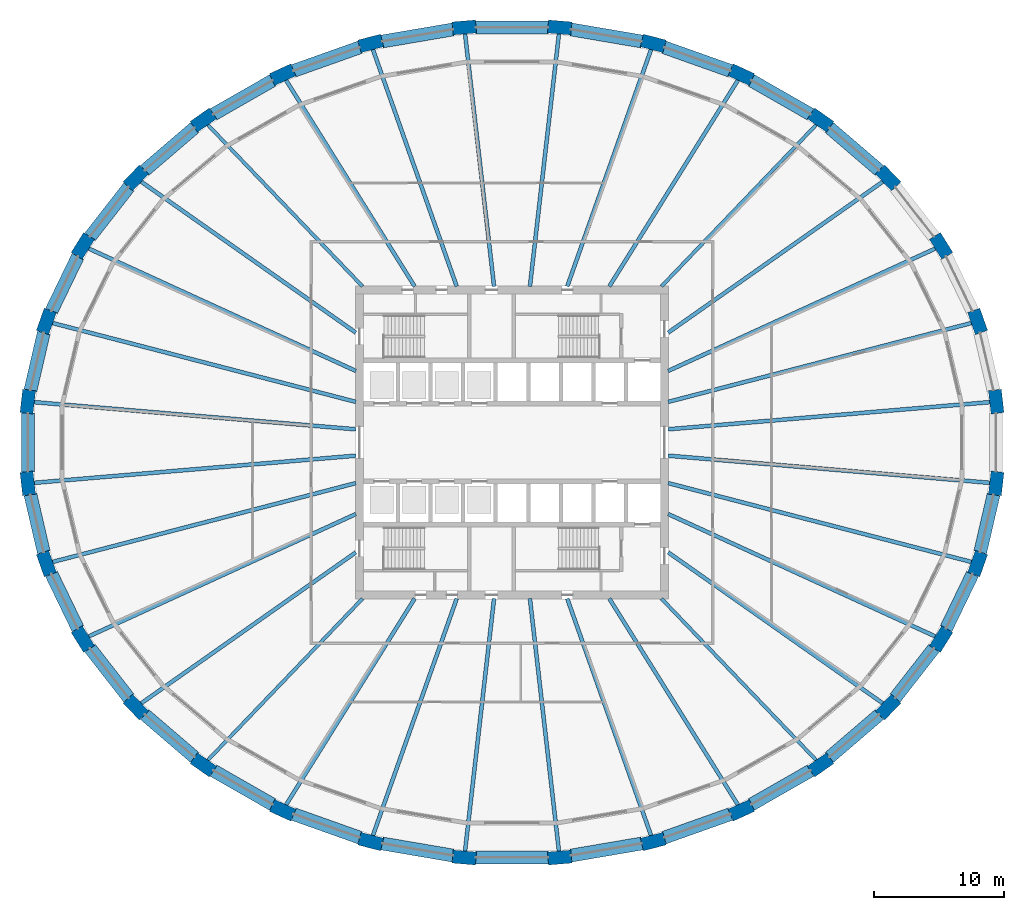
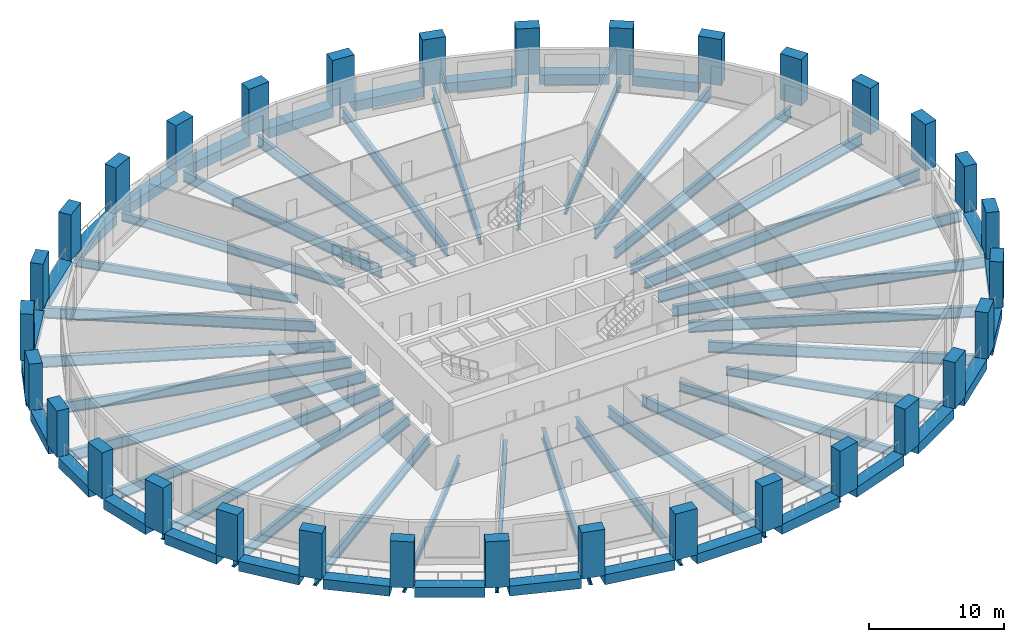
# One storey, part 1 of 10: 60 beams, 32 columns.
"""IFC4 building model written with IfcOpenShell, lengths in metres."""

from ifc_helpers import new_model, si_unit, direction, frame, origin, origin_2d, place, context, subcontext, project, spatial, rectangle, i_section, extrude, material, material_profile, profile_set, type_object, element, save


model = new_model("IFC4")

# Units and contexts
model_context = context("Model", 3, precision=1e-05, world=origin(), true_north=direction((0.0, 1.0)))
body_context = subcontext(model_context, "Body", "Model", "MODEL_VIEW")
ifc_project = project(units=[si_unit("LENGTHUNIT", "METRE"), si_unit("AREAUNIT", "SQUARE_METRE"), si_unit("VOLUMEUNIT", "CUBIC_METRE"), si_unit("PLANEANGLEUNIT", "RADIAN"), si_unit("MASSUNIT", "GRAM", prefix="KILO")], contexts=[model_context])

# Site, building, storey
site_placement = place(None, origin())
site = spatial("IfcSite", under=ifc_project, at=site_placement, CompositionType="ELEMENT")
building_placement = place(site_placement, origin())
building = spatial("IfcBuilding", under=site, at=building_placement, Name="Halqa Exchange Tower", CompositionType="ELEMENT")
storey_placement = place(building_placement, frame((0.0, 0.0, 48.699951171875)))
storey = spatial("IfcBuildingStorey", under=building, at=storey_placement, Name="L10", CompositionType="ELEMENT", Elevation=48.699951171875)

# Columns
ifc_material_1 = material(Name="Concrete C80/95", Category="concrete")
ifc_material_profile_1 = material_profile(ifc_material_1, rectangle(XDim=1.800048828125, YDim=1.0, at=origin_2d()), Name="1800 x 1000")
ifc_profile_set_1 = profile_set([ifc_material_profile_1], Name="Concrete C80/95")
column_type = type_object("IfcColumnType", Name="RC ring column 1800 x 1000 C80/95", PredefinedType="COLUMN", material=ifc_profile_set_1)
for number, where, z_axis, x_axis, name in (
    (1, (37.135986328125, 3.135009765625, 0.0), (0.0, 0.0, 1.0), (-0.114153454138, 0.993463129114, 0.0), "Ring column 1"),
    (2, (35.708984375, 9.284912109375, 0.0), (0.0, 0.0, 1.0), (-0.33362752424, 0.942704977747, 0.0), "Ring column 2"),
    (3, (32.90966796875, 15.07763671875, 0.0), (0.0, 0.0, 1.0), (-0.529143458197, 0.848532380435, 0.0), "Ring column 3"),
    (4, (28.845458984375, 20.291015625, 0.0), (0.0, 0.0, 1.0), (-0.691576091297, 0.722303613411, 0.0), "Ring column 4"),
    (5, (23.6728515625, 24.724609375, 0.0), (0.0, 0.0, 1.0), (-0.817908788019, 0.57534790734, 0.0), "Ring column 5"),
    (6, (17.590576171875, 28.208251953125, 0.0), (0.0, 0.0, 1.0), (-0.909127095833, 0.416518815449, 0.0), "Ring column 6"),
    (7, (10.832275390625, 30.607666015625, 0.0), (0.0, 0.0, 1.0), (-0.967819942774, 0.251643713153, 0.0), "Ring column 7"),
    (8, (3.65771484375, 31.8310546875, 0.0), (0.0, 0.0, 1.0), (-0.996455225341, 0.084124811391, 0.0), "Ring column 8"),
    (9, (-3.65771484375, 31.8310546875, 0.0), (0.0, 0.0, 1.0), (-0.996455225341, -0.084124811391, 0.0), "Ring column 9"),
    (10, (-10.832275390625, 30.607666015625, 0.0), (0.0, 0.0, 1.0), (-0.967819942774, -0.251643713153, 0.0), "Ring column 10"),
    (11, (-17.590576171875, 28.208251953125, 0.0), (0.0, 0.0, 1.0), (-0.909127095833, -0.416518815449, 0.0), "Ring column 11"),
    (12, (-23.6728515625, 24.724609375, 0.0), (0.0, 0.0, 1.0), (-0.817908788019, -0.57534790734, 0.0), "Ring column 12"),
    (13, (-28.845458984375, 20.291015625, 0.0), (0.0, 0.0, 1.0), (-0.691576091297, -0.722303613411, 0.0), "Ring column 13"),
    (14, (-32.90966796875, 15.07763671875, 0.0), (0.0, 0.0, 1.0), (-0.529143458197, -0.848532380435, 0.0), "Ring column 14"),
    (15, (-35.708984375, 9.284912109375, 0.0), (0.0, 0.0, 1.0), (-0.33362752424, -0.942704977747, 0.0), "Ring column 15"),
    (16, (-37.135986328125, 3.135009765625, 0.0), (0.0, 0.0, 1.0), (-0.114153454138, -0.993463129114, 0.0), "Ring column 16"),
    (17, (-37.135986328125, -3.135009765625, 0.0), (0.0, 0.0, 1.0), (0.114153454138, -0.993463129114, 0.0), "Ring column 17"),
    (18, (-35.708984375, -9.284912109375, 0.0), (0.0, 0.0, 1.0), (0.33362752424, -0.942704977747, 0.0), "Ring column 18"),
    (19, (-32.90966796875, -15.07763671875, 0.0), (0.0, 0.0, 1.0), (0.529143458197, -0.848532380435, 0.0), "Ring column 19"),
    (20, (-28.845458984375, -20.291015625, 0.0), (0.0, 0.0, 1.0), (0.691576091297, -0.722303613411, 0.0), "Ring column 20"),
    (21, (-23.6728515625, -24.724609375, 0.0), (0.0, 0.0, 1.0), (0.817908788019, -0.57534790734, 0.0), "Ring column 21"),
    (22, (-17.590576171875, -28.208251953125, 0.0), (0.0, 0.0, 1.0), (0.909127095833, -0.416518815449, 0.0), "Ring column 22"),
    (23, (-10.832275390625, -30.607666015625, 0.0), (0.0, 0.0, 1.0), (0.967819942774, -0.251643713153, 0.0), "Ring column 23"),
    (24, (-3.65771484375, -31.8310546875, 0.0), (0.0, 0.0, 1.0), (0.996455225341, -0.084124811391, 0.0), "Ring column 24"),
    (25, (3.65771484375, -31.8310546875, 0.0), (0.0, 0.0, 1.0), (0.996455225341, 0.084124811391, 0.0), "Ring column 25"),
    (26, (10.832275390625, -30.607666015625, 0.0), (0.0, 0.0, 1.0), (0.967819942774, 0.251643713153, 0.0), "Ring column 26"),
    (27, (17.590576171875, -28.208251953125, 0.0), (0.0, 0.0, 1.0), (0.909127095833, 0.416518815449, 0.0), "Ring column 27"),
    (28, (23.6728515625, -24.724609375, 0.0), (0.0, 0.0, 1.0), (0.817908788019, 0.57534790734, 0.0), "Ring column 28"),
    (29, (28.845458984375, -20.291015625, 0.0), (0.0, 0.0, 1.0), (0.691576091297, 0.722303613411, 0.0), "Ring column 29"),
    (30, (32.90966796875, -15.07763671875, 0.0), (0.0, 0.0, 1.0), (0.529143458197, 0.848532380435, 0.0), "Ring column 30"),
    (31, (35.708984375, -9.284912109375, 0.0), (0.0, 0.0, 1.0), (0.33362752424, 0.942704977747, 0.0), "Ring column 31"),
    (32, (37.135986328125, -3.135009765625, 0.0), (0.0, 0.0, 1.0), (0.114153454138, 0.993463129114, 0.0), "Ring column 32"),
):
    element("IfcColumn", number, at=place(storey_placement, frame(where, z_axis=z_axis, x_axis=x_axis)), inside=storey, type_object=column_type, Name=name, PredefinedType="COLUMN", context=body_context, shape_type="SweptSolid", body=[
        extrude(rectangle(XDim=1.800048828125, YDim=1.0, at=origin_2d()), origin(), (0.0, 0.0, 1.0), 4.199951171875),
    ])

# Beams
ifc_material_2 = material(Name="Steel S355", Category="steel")
ifc_material_profile_2 = material_profile(ifc_material_2, i_section(OverallWidth=0.300048828125, OverallDepth=0.989990234375, WebThickness=0.0166015625, FlangeThickness=0.031005859375, FilletRadius=0.030029296875, at=origin_2d()), Name="HEA 1000")
ifc_profile_set_2 = profile_set([ifc_material_profile_2], Name="Steel S355")
beam_type_1 = type_object("IfcBeamType", Name="Floor beam HEA 1000", PredefinedType="BEAM", material=ifc_profile_set_2)
beam_1_placement = place(storey_placement, frame((11.972412109375, 5.485107421875, -0.794921875), z_axis=(0.909128252254, 0.416516291343, 0.0), x_axis=(-0.416516291343, 0.909128252254, 0.0)))
element("IfcBeam", 33, at=beam_1_placement, inside=storey, type_object=beam_type_1, Name="Radial beam 3", PredefinedType="BEAM", context=body_context, shape_type="SweptSolid", body=[
    extrude(i_section(OverallWidth=0.300048828125, OverallDepth=0.989990234375, WebThickness=0.0166015625, FlangeThickness=0.031005859375, FilletRadius=0.030029296875, at=origin_2d()), origin(), (0.0, 0.0, 1.0), 22.654052734375),
])
beam_2_placement = place(storey_placement, frame((11.972412109375, 8.421875, -0.794921875), z_axis=(0.817910834663, 0.575344997841, 0.0), x_axis=(-0.575344997841, 0.817910834663, 0.0)))
element("IfcBeam", 34, at=beam_2_placement, inside=storey, type_object=beam_type_1, Name="Radial beam 4", PredefinedType="BEAM", context=body_context, shape_type="SweptSolid", body=[
    extrude(i_section(OverallWidth=0.300048828125, OverallDepth=0.989990234375, WebThickness=0.0166015625, FlangeThickness=0.031005859375, FilletRadius=0.030029296875, at=origin_2d()), origin(), (0.0, 0.0, 1.0), 20.253662109375),
])
beam_3_placement = place(storey_placement, frame((4.23681640625, 11.971923828125, -0.794921875), z_axis=(0.333636480127, 0.942701808171, 0.0), x_axis=(-0.942701808171, 0.333636480127, 0.0)))
element("IfcBeam", 35, at=beam_3_placement, inside=storey, type_object=beam_type_1, Name="Radial beam 7", PredefinedType="BEAM", context=body_context, shape_type="SweptSolid", body=[
    extrude(i_section(OverallWidth=0.300048828125, OverallDepth=0.989990234375, WebThickness=0.0166015625, FlangeThickness=0.031005859375, FilletRadius=0.030029296875, at=origin_2d()), origin(), (0.0, 0.0, 1.0), 19.39453125),
])
for number, where, z_axis, x_axis, name in (
    (36, (1.375732421875, 11.972900390625, -0.794921875), (0.114150293161, 0.993463492319, 0.0), (-0.993463492319, 0.114150293161, 0.0), "Radial beam 8"),
    (37, (-1.375732421875, 11.972900390625, -0.794921875), (-0.114150293161, 0.993463492319, 0.0), (-0.993463492319, -0.114150293161, 0.0), "Radial beam 9"),
):
    element("IfcBeam", number, at=place(storey_placement, frame(where, z_axis=z_axis, x_axis=x_axis)), inside=storey, type_object=beam_type_1, Name=name, PredefinedType="BEAM", context=body_context, shape_type="SweptSolid", body=[
        extrude(i_section(OverallWidth=0.300048828125, OverallDepth=0.989990234375, WebThickness=0.0166015625, FlangeThickness=0.031005859375, FilletRadius=0.030029296875, at=origin_2d()), origin(), (0.0, 0.0, 1.0), 19.61669921875),
    ])
beam_4_placement = place(storey_placement, frame((-4.23681640625, 11.971923828125, -0.794921875), z_axis=(-0.333636480127, 0.942701808171, 0.0), x_axis=(-0.942701808171, -0.333636480127, 0.0)))
element("IfcBeam", 38, at=beam_4_placement, inside=storey, type_object=beam_type_1, Name="Radial beam 10", PredefinedType="BEAM", context=body_context, shape_type="SweptSolid", body=[
    extrude(i_section(OverallWidth=0.300048828125, OverallDepth=0.989990234375, WebThickness=0.0166015625, FlangeThickness=0.031005859375, FilletRadius=0.030029296875, at=origin_2d()), origin(), (0.0, 0.0, 1.0), 19.39453125),
])
beam_5_placement = place(storey_placement, frame((-11.972412109375, 8.421875, -0.794921875), z_axis=(-0.817910834663, 0.575344997841, 0.0), x_axis=(-0.575344997841, -0.817910834663, 0.0)))
element("IfcBeam", 39, at=beam_5_placement, inside=storey, type_object=beam_type_1, Name="Radial beam 13", PredefinedType="BEAM", context=body_context, shape_type="SweptSolid", body=[
    extrude(i_section(OverallWidth=0.300048828125, OverallDepth=0.989990234375, WebThickness=0.0166015625, FlangeThickness=0.031005859375, FilletRadius=0.030029296875, at=origin_2d()), origin(), (0.0, 0.0, 1.0), 20.253662109375),
])
for number, where, z_axis, x_axis, name in (
    (40, (-11.972412109375, 5.485107421875, -0.794921875), (-0.909128252254, 0.416516291343, 0.0), (-0.416516291343, -0.909128252254, 0.0), "Radial beam 14"),
    (41, (-11.972412109375, -5.485107421875, -0.794921875), (-0.909128252254, -0.416516291343, 0.0), (0.416516291343, -0.909128252254, 0.0), "Radial beam 19"),
):
    element("IfcBeam", number, at=place(storey_placement, frame(where, z_axis=z_axis, x_axis=x_axis)), inside=storey, type_object=beam_type_1, Name=name, PredefinedType="BEAM", context=body_context, shape_type="SweptSolid", body=[
        extrude(i_section(OverallWidth=0.300048828125, OverallDepth=0.989990234375, WebThickness=0.0166015625, FlangeThickness=0.031005859375, FilletRadius=0.030029296875, at=origin_2d()), origin(), (0.0, 0.0, 1.0), 22.654052734375),
    ])
beam_6_placement = place(storey_placement, frame((-11.972412109375, -8.421875, -0.794921875), z_axis=(-0.817910834663, -0.575344997841, 0.0), x_axis=(0.575344997841, -0.817910834663, 0.0)))
element("IfcBeam", 42, at=beam_6_placement, inside=storey, type_object=beam_type_1, Name="Radial beam 20", PredefinedType="BEAM", context=body_context, shape_type="SweptSolid", body=[
    extrude(i_section(OverallWidth=0.300048828125, OverallDepth=0.989990234375, WebThickness=0.0166015625, FlangeThickness=0.031005859375, FilletRadius=0.030029296875, at=origin_2d()), origin(), (0.0, 0.0, 1.0), 20.253662109375),
])
beam_7_placement = place(storey_placement, frame((-4.23681640625, -11.971923828125, -0.794921875), z_axis=(-0.333636480127, -0.942701808171, 0.0), x_axis=(0.942701808171, -0.333636480127, 0.0)))
element("IfcBeam", 43, at=beam_7_placement, inside=storey, type_object=beam_type_1, Name="Radial beam 23", PredefinedType="BEAM", context=body_context, shape_type="SweptSolid", body=[
    extrude(i_section(OverallWidth=0.300048828125, OverallDepth=0.989990234375, WebThickness=0.0166015625, FlangeThickness=0.031005859375, FilletRadius=0.030029296875, at=origin_2d()), origin(), (0.0, 0.0, 1.0), 19.39453125),
])
for number, where, z_axis, x_axis, name in (
    (44, (-1.375732421875, -11.972900390625, -0.794921875), (-0.114150293161, -0.993463492319, 0.0), (0.993463492319, -0.114150293161, 0.0), "Radial beam 24"),
    (45, (1.375732421875, -11.972900390625, -0.794921875), (0.114150293161, -0.993463492319, 0.0), (0.993463492319, 0.114150293161, 0.0), "Radial beam 25"),
):
    element("IfcBeam", number, at=place(storey_placement, frame(where, z_axis=z_axis, x_axis=x_axis)), inside=storey, type_object=beam_type_1, Name=name, PredefinedType="BEAM", context=body_context, shape_type="SweptSolid", body=[
        extrude(i_section(OverallWidth=0.300048828125, OverallDepth=0.989990234375, WebThickness=0.0166015625, FlangeThickness=0.031005859375, FilletRadius=0.030029296875, at=origin_2d()), origin(), (0.0, 0.0, 1.0), 19.61669921875),
    ])
beam_8_placement = place(storey_placement, frame((4.23681640625, -11.971923828125, -0.794921875), z_axis=(0.333636480127, -0.942701808171, 0.0), x_axis=(0.942701808171, 0.333636480127, 0.0)))
element("IfcBeam", 46, at=beam_8_placement, inside=storey, type_object=beam_type_1, Name="Radial beam 26", PredefinedType="BEAM", context=body_context, shape_type="SweptSolid", body=[
    extrude(i_section(OverallWidth=0.300048828125, OverallDepth=0.989990234375, WebThickness=0.0166015625, FlangeThickness=0.031005859375, FilletRadius=0.030029296875, at=origin_2d()), origin(), (0.0, 0.0, 1.0), 19.39453125),
])
beam_9_placement = place(storey_placement, frame((11.972412109375, -8.421875, -0.794921875), z_axis=(0.817910834663, -0.575344997841, 0.0), x_axis=(0.575344997841, 0.817910834663, 0.0)))
element("IfcBeam", 47, at=beam_9_placement, inside=storey, type_object=beam_type_1, Name="Radial beam 29", PredefinedType="BEAM", context=body_context, shape_type="SweptSolid", body=[
    extrude(i_section(OverallWidth=0.300048828125, OverallDepth=0.989990234375, WebThickness=0.0166015625, FlangeThickness=0.031005859375, FilletRadius=0.030029296875, at=origin_2d()), origin(), (0.0, 0.0, 1.0), 20.253662109375),
])
beam_10_placement = place(storey_placement, frame((11.972412109375, -5.485107421875, -0.794921875), z_axis=(0.909128252254, -0.416516291343, 0.0), x_axis=(0.416516291343, 0.909128252254, 0.0)))
element("IfcBeam", 48, at=beam_10_placement, inside=storey, type_object=beam_type_1, Name="Radial beam 30", PredefinedType="BEAM", context=body_context, shape_type="SweptSolid", body=[
    extrude(i_section(OverallWidth=0.300048828125, OverallDepth=0.989990234375, WebThickness=0.0166015625, FlangeThickness=0.031005859375, FilletRadius=0.030029296875, at=origin_2d()), origin(), (0.0, 0.0, 1.0), 22.654052734375),
])
ifc_material_profile_3 = material_profile(ifc_material_2, i_section(OverallWidth=0.300048828125, OverallDepth=0.7900390625, WebThickness=0.014892578125, FlangeThickness=0.028076171875, FilletRadius=0.030029296875, at=origin_2d()), Name="HEA 800")
ifc_profile_set_3 = profile_set([ifc_material_profile_3], Name="Steel S355")
beam_type_2 = type_object("IfcBeamType", Name="Floor beam HEA 800", PredefinedType="BEAM", material=ifc_profile_set_3)
for number, where, z_axis, x_axis, name in (
    (49, (7.46533203125, 11.971435546875, -0.695068359375), (0.529137672144, 0.848535988582, 0.0), (-0.848535988582, 0.529137672144, 0.0), "Radial beam 6"),
    (50, (-7.46533203125, 11.971435546875, -0.695068359375), (-0.529137672144, 0.848535988582, 0.0), (-0.848535988582, -0.529137672144, 0.0), "Radial beam 11"),
    (51, (-7.46533203125, -11.971435546875, -0.695068359375), (-0.529137672144, -0.848535988582, 0.0), (0.848535988582, -0.529137672144, 0.0), "Radial beam 22"),
    (52, (7.46533203125, -11.971435546875, -0.695068359375), (0.529137672144, -0.848535988582, 0.0), (0.848535988582, 0.529137672144, 0.0), "Radial beam 27"),
):
    element("IfcBeam", number, at=place(storey_placement, frame(where, z_axis=z_axis, x_axis=x_axis)), inside=storey, type_object=beam_type_2, Name=name, PredefinedType="BEAM", context=body_context, shape_type="SweptSolid", body=[
        extrude(i_section(OverallWidth=0.300048828125, OverallDepth=0.7900390625, WebThickness=0.014892578125, FlangeThickness=0.028076171875, FilletRadius=0.030029296875, at=origin_2d()), origin(), (0.0, 0.0, 1.0), 18.75927734375),
    ])
ifc_material_profile_4 = material_profile(ifc_material_2, i_section(OverallWidth=0.300048828125, OverallDepth=1.0, WebThickness=0.01904296875, FlangeThickness=0.035888671875, FilletRadius=0.030029296875, at=origin_2d()), Name="HEB 1000")
ifc_profile_set_4 = profile_set([ifc_material_profile_4], Name="Steel S355")
beam_type_3 = type_object("IfcBeamType", Name="Floor beam HEB 1000", PredefinedType="BEAM", material=ifc_profile_set_4)
for number, where, z_axis, x_axis, name in (
    (53, (11.97119140625, 3.11279296875, -0.800048828125), (0.967820586637, 0.251641236846, 0.0), (-0.251641236846, 0.967820586637, 0.0), "Radial beam 2"),
    (54, (-11.97119140625, 3.11279296875, -0.800048828125), (-0.967820586637, 0.251641236846, 0.0), (-0.251641236846, -0.967820586637, 0.0), "Radial beam 15"),
    (55, (-11.97119140625, -3.11279296875, -0.800048828125), (-0.967820586637, -0.251641236846, 0.0), (0.251641236846, -0.967820586637, 0.0), "Radial beam 18"),
    (56, (11.97119140625, -3.11279296875, -0.800048828125), (0.967820586637, -0.251641236846, 0.0), (0.251641236846, 0.967820586637, 0.0), "Radial beam 31"),
):
    element("IfcBeam", number, at=place(storey_placement, frame(where, z_axis=z_axis, x_axis=x_axis)), inside=storey, type_object=beam_type_3, Name=name, PredefinedType="BEAM", context=body_context, shape_type="SweptSolid", body=[
        extrude(i_section(OverallWidth=0.300048828125, OverallDepth=1.0, WebThickness=0.01904296875, FlangeThickness=0.035888671875, FilletRadius=0.030029296875, at=origin_2d()), origin(), (0.0, 0.0, 1.0), 24.153076171875),
    ])
ifc_material_profile_5 = material_profile(ifc_material_2, i_section(OverallWidth=0.302001953125, OverallDepth=1.008056640625, WebThickness=0.02099609375, FlangeThickness=0.0400390625, FilletRadius=0.030029296875, at=origin_2d()), Name="HEM 1000")
ifc_profile_set_5 = profile_set([ifc_material_profile_5], Name="Steel S355")
beam_type_4 = type_object("IfcBeamType", Name="Floor beam HEM 1000", PredefinedType="BEAM", material=ifc_profile_set_5)
for number, where, z_axis, x_axis, name in (
    (57, (11.972412109375, 1.0107421875, -0.803955078125), (0.996455582093, 0.084120585565, 0.0), (-0.084120585565, 0.996455582093, 0.0), "Radial beam 1"),
    (58, (-11.972412109375, 1.0107421875, -0.803955078125), (-0.996455582093, 0.084120585565, 0.0), (-0.084120585565, -0.996455582093, 0.0), "Radial beam 16"),
    (59, (-11.972412109375, -1.0107421875, -0.803955078125), (-0.996455582093, -0.084120585565, 0.0), (0.084120585565, -0.996455582093, 0.0), "Radial beam 17"),
    (60, (11.972412109375, -1.0107421875, -0.803955078125), (0.996455582093, -0.084120585565, 0.0), (0.084120585565, 0.996455582093, 0.0), "Radial beam 32"),
):
    element("IfcBeam", number, at=place(storey_placement, frame(where, z_axis=z_axis, x_axis=x_axis)), inside=storey, type_object=beam_type_4, Name=name, PredefinedType="BEAM", context=body_context, shape_type="SweptSolid", body=[
        extrude(i_section(OverallWidth=0.302001953125, OverallDepth=1.008056640625, WebThickness=0.02099609375, FlangeThickness=0.0400390625, FilletRadius=0.030029296875, at=origin_2d()), origin(), (0.0, 0.0, 1.0), 24.881103515625),
    ])
ifc_material_profile_6 = material_profile(ifc_material_2, i_section(OverallWidth=0.264892578125, OverallDepth=0.7529296875, WebThickness=0.01318359375, FlangeThickness=0.01708984375, FilletRadius=0.01708984375, at=origin_2d()), Name="IPE 750x147")
ifc_profile_set_6 = profile_set([ifc_material_profile_6], Name="Steel S355")
beam_type_5 = type_object("IfcBeamType", Name="Floor beam IPE 750x147", PredefinedType="BEAM", material=ifc_profile_set_6)
for number, where, z_axis, x_axis, name in (
    (61, (11.462890625, 11.97216796875, -0.676513671875), (0.691574479101, 0.722305157019, 0.0), (-0.722305157019, 0.691574479101, 0.0), "Radial beam 5"),
    (62, (-11.462890625, 11.97216796875, -0.676513671875), (-0.691574479101, 0.722305157019, 0.0), (-0.722305157019, -0.691574479101, 0.0), "Radial beam 12"),
    (63, (-11.462890625, -11.97216796875, -0.676513671875), (-0.691574479101, -0.722305157019, 0.0), (0.722305157019, -0.691574479101, 0.0), "Radial beam 21"),
    (64, (11.462890625, -11.97216796875, -0.676513671875), (0.691574479101, -0.722305157019, 0.0), (0.722305157019, 0.691574479101, 0.0), "Radial beam 28"),
):
    element("IfcBeam", number, at=place(storey_placement, frame(where, z_axis=z_axis, x_axis=x_axis)), inside=storey, type_object=beam_type_5, Name=name, PredefinedType="BEAM", context=body_context, shape_type="SweptSolid", body=[
        extrude(i_section(OverallWidth=0.264892578125, OverallDepth=0.7529296875, WebThickness=0.01318359375, FlangeThickness=0.01708984375, FilletRadius=0.01708984375, at=origin_2d()), origin(), (0.0, 0.0, 1.0), 17.279296875),
    ])
ifc_material_3 = material(Name="Concrete C60/75", Category="concrete")
ifc_material_profile_7 = material_profile(ifc_material_3, rectangle(XDim=1.0, YDim=0.89990234375, at=origin_2d()), Name="1000 x 900")
ifc_profile_set_7 = profile_set([ifc_material_profile_7], Name="Concrete C60/75")
beam_type_6 = type_object("IfcBeamType", Name="RC spandrel beam 1000 x 900 C60/75", PredefinedType="SPANDREL", material=ifc_profile_set_7)
beam_11_placement = place(storey_placement, frame((28.18017578125, 20.861328125, -0.449951171875), z_axis=(-0.759266817387, 0.650779455741, 0.0), x_axis=(-0.650779455741, -0.759266817387, 0.0)))
element("IfcBeam", 65, at=beam_11_placement, inside=storey, type_object=beam_type_6, Name="Spandrel 4", PredefinedType="SPANDREL", context=body_context, shape_type="SweptSolid", body=[
    extrude(rectangle(XDim=1.0, YDim=0.89990234375, at=origin_2d()), origin(), (0.0, 0.0, 1.0), 5.061279296875),
])
beam_12_placement = place(storey_placement, frame((22.91259765625, 25.16015625, -0.449951171875), z_axis=(-0.86775126058, 0.496998742214, 0.0), x_axis=(-0.496998742214, -0.86775126058, 0.0)))
element("IfcBeam", 66, at=beam_12_placement, inside=storey, type_object=beam_type_6, Name="Spandrel 5", PredefinedType="SPANDREL", context=body_context, shape_type="SweptSolid", body=[
    extrude(rectangle(XDim=1.0, YDim=0.89990234375, at=origin_2d()), origin(), (0.0, 0.0, 1.0), 5.258056640625),
])
beam_13_placement = place(storey_placement, frame((16.764892578125, 28.50146484375, -0.449951171875), z_axis=(-0.942379193902, 0.334546640845, 0.0), x_axis=(-0.334546640845, -0.942379193902, 0.0)))
element("IfcBeam", 67, at=beam_13_placement, inside=storey, type_object=beam_type_6, Name="Spandrel 6", PredefinedType="SPANDREL", context=body_context, shape_type="SweptSolid", body=[
    extrude(rectangle(XDim=1.0, YDim=0.89990234375, at=origin_2d()), origin(), (0.0, 0.0, 1.0), 5.419921875),
])
beam_14_placement = place(storey_placement, frame((9.9697265625, 30.7548828125, -0.449951171875), z_axis=(-0.985774816131, 0.168071448739, 0.0), x_axis=(-0.168071448739, -0.985774816131, 0.0)))
element("IfcBeam", 68, at=beam_14_placement, inside=storey, type_object=beam_type_6, Name="Spandrel 7", PredefinedType="SPANDREL", context=body_context, shape_type="SweptSolid", body=[
    extrude(rectangle(XDim=1.0, YDim=0.89990234375, at=origin_2d()), origin(), (0.0, 0.0, 1.0), 5.528564453125),
])
beam_15_placement = place(storey_placement, frame((2.783203125, 31.8310546875, -0.449951171875), z_axis=(-1.0, 0.0, 0.0), x_axis=(0.0, -1.0, 0.0)))
element("IfcBeam", 69, at=beam_15_placement, inside=storey, type_object=beam_type_6, Name="Spandrel 8", PredefinedType="SPANDREL", context=body_context, shape_type="SweptSolid", body=[
    extrude(rectangle(XDim=1.0, YDim=0.89990234375, at=origin_2d()), origin(), (0.0, 0.0, 1.0), 5.56640625),
])
beam_16_placement = place(storey_placement, frame((-4.519775390625, 31.68408203125, -0.449951171875), z_axis=(-0.985774816131, -0.168071448739, 0.0), x_axis=(0.168071448739, -0.985774816131, 0.0)))
element("IfcBeam", 70, at=beam_16_placement, inside=storey, type_object=beam_type_6, Name="Spandrel 9", PredefinedType="SPANDREL", context=body_context, shape_type="SweptSolid", body=[
    extrude(rectangle(XDim=1.0, YDim=0.89990234375, at=origin_2d()), origin(), (0.0, 0.0, 1.0), 5.528564453125),
])
beam_17_placement = place(storey_placement, frame((-11.6572265625, 30.314697265625, -0.449951171875), z_axis=(-0.942379193902, -0.334546640845, 0.0), x_axis=(0.334546640845, -0.942379193902, 0.0)))
element("IfcBeam", 71, at=beam_17_placement, inside=storey, type_object=beam_type_6, Name="Spandrel 10", PredefinedType="SPANDREL", context=body_context, shape_type="SweptSolid", body=[
    extrude(rectangle(XDim=1.0, YDim=0.89990234375, at=origin_2d()), origin(), (0.0, 0.0, 1.0), 5.419921875),
])
beam_18_placement = place(storey_placement, frame((-18.349853515625, 27.7734375, -0.449951171875), z_axis=(-0.86775126058, -0.496998742214, 0.0), x_axis=(0.496998742214, -0.86775126058, 0.0)))
element("IfcBeam", 72, at=beam_18_placement, inside=storey, type_object=beam_type_6, Name="Spandrel 11", PredefinedType="SPANDREL", context=body_context, shape_type="SweptSolid", body=[
    extrude(rectangle(XDim=1.0, YDim=0.89990234375, at=origin_2d()), origin(), (0.0, 0.0, 1.0), 5.258056640625),
])
beam_19_placement = place(storey_placement, frame((-24.33740234375, 24.155029296875, -0.449951171875), z_axis=(-0.759266817387, -0.650779455741, 0.0), x_axis=(0.650779455741, -0.759266817387, 0.0)))
element("IfcBeam", 73, at=beam_19_placement, inside=storey, type_object=beam_type_6, Name="Spandrel 12", PredefinedType="SPANDREL", context=body_context, shape_type="SweptSolid", body=[
    extrude(rectangle(XDim=1.0, YDim=0.89990234375, at=origin_2d()), origin(), (0.0, 0.0, 1.0), 5.061279296875),
])
beam_20_placement = place(storey_placement, frame((-29.3837890625, 19.6005859375, -0.449951171875), z_axis=(-0.614803063133, -0.788680666406, 0.0), x_axis=(0.788680666406, -0.614803063133, 0.0)))
element("IfcBeam", 74, at=beam_20_placement, inside=storey, type_object=beam_type_6, Name="Spandrel 13", PredefinedType="SPANDREL", context=body_context, shape_type="SweptSolid", body=[
    extrude(rectangle(XDim=1.0, YDim=0.89990234375, at=origin_2d()), origin(), (0.0, 0.0, 1.0), 4.858154296875),
])
beam_21_placement = place(storey_placement, frame((-33.29150390625, 14.287109375, -0.449951171875), z_axis=(-0.43512988636, -0.900367692666, 0.0), x_axis=(0.900367692666, -0.43512988636, 0.0)))
element("IfcBeam", 75, at=beam_21_placement, inside=storey, type_object=beam_type_6, Name="Spandrel 14", PredefinedType="SPANDREL", context=body_context, shape_type="SweptSolid", body=[
    extrude(rectangle(XDim=1.0, YDim=0.89990234375, at=origin_2d()), origin(), (0.0, 0.0, 1.0), 4.6787109375),
])
beam_22_placement = place(storey_placement, frame((-35.907470703125, 8.4296875, -0.449951171875), z_axis=(-0.226037111301, -0.974118691082, 0.0), x_axis=(0.974118691082, -0.226037111301, 0.0)))
element("IfcBeam", 76, at=beam_22_placement, inside=storey, type_object=beam_type_6, Name="Spandrel 15", PredefinedType="SPANDREL", context=body_context, shape_type="SweptSolid", body=[
    extrude(rectangle(XDim=1.0, YDim=0.89990234375, at=origin_2d()), origin(), (0.0, 0.0, 1.0), 4.556884765625),
])
beam_23_placement = place(storey_placement, frame((-37.135986328125, 2.25634765625, -0.449951171875), z_axis=(0.0, -1.0, 0.0), x_axis=(1.0, 0.0, 0.0)))
element("IfcBeam", 77, at=beam_23_placement, inside=storey, type_object=beam_type_6, Name="Spandrel 16", PredefinedType="SPANDREL", context=body_context, shape_type="SweptSolid", body=[
    extrude(rectangle(XDim=1.0, YDim=0.89990234375, at=origin_2d()), origin(), (0.0, 0.0, 1.0), 4.5126953125),
])
beam_24_placement = place(storey_placement, frame((-36.9375, -3.99072265625, -0.449951171875), z_axis=(0.226037111301, -0.974118691082, 0.0), x_axis=(0.974118691082, 0.226037111301, 0.0)))
element("IfcBeam", 78, at=beam_24_placement, inside=storey, type_object=beam_type_6, Name="Spandrel 17", PredefinedType="SPANDREL", context=body_context, shape_type="SweptSolid", body=[
    extrude(rectangle(XDim=1.0, YDim=0.89990234375, at=origin_2d()), origin(), (0.0, 0.0, 1.0), 4.556884765625),
])
beam_25_placement = place(storey_placement, frame((-35.327392578125, -10.074462890625, -0.449951171875), z_axis=(0.43512988636, -0.900367692666, 0.0), x_axis=(0.900367692666, 0.43512988636, 0.0)))
element("IfcBeam", 79, at=beam_25_placement, inside=storey, type_object=beam_type_6, Name="Spandrel 18", PredefinedType="SPANDREL", context=body_context, shape_type="SweptSolid", body=[
    extrude(rectangle(XDim=1.0, YDim=0.89990234375, at=origin_2d()), origin(), (0.0, 0.0, 1.0), 4.6787109375),
])
beam_26_placement = place(storey_placement, frame((-32.37060546875, -15.76904296875, -0.449951171875), z_axis=(0.614803063133, -0.788680666406, 0.0), x_axis=(0.788680666406, 0.614803063133, 0.0)))
element("IfcBeam", 80, at=beam_26_placement, inside=storey, type_object=beam_type_6, Name="Spandrel 19", PredefinedType="SPANDREL", context=body_context, shape_type="SweptSolid", body=[
    extrude(rectangle(XDim=1.0, YDim=0.89990234375, at=origin_2d()), origin(), (0.0, 0.0, 1.0), 4.858154296875),
])
beam_27_placement = place(storey_placement, frame((-28.18017578125, -20.861328125, -0.449951171875), z_axis=(0.759266817387, -0.650779455741, 0.0), x_axis=(0.650779455741, 0.759266817387, 0.0)))
element("IfcBeam", 81, at=beam_27_placement, inside=storey, type_object=beam_type_6, Name="Spandrel 20", PredefinedType="SPANDREL", context=body_context, shape_type="SweptSolid", body=[
    extrude(rectangle(XDim=1.0, YDim=0.89990234375, at=origin_2d()), origin(), (0.0, 0.0, 1.0), 5.061279296875),
])
beam_28_placement = place(storey_placement, frame((-22.91259765625, -25.16015625, -0.449951171875), z_axis=(0.86775126058, -0.496998742214, 0.0), x_axis=(0.496998742214, 0.86775126058, 0.0)))
element("IfcBeam", 82, at=beam_28_placement, inside=storey, type_object=beam_type_6, Name="Spandrel 21", PredefinedType="SPANDREL", context=body_context, shape_type="SweptSolid", body=[
    extrude(rectangle(XDim=1.0, YDim=0.89990234375, at=origin_2d()), origin(), (0.0, 0.0, 1.0), 5.258056640625),
])
beam_29_placement = place(storey_placement, frame((-16.764892578125, -28.50146484375, -0.449951171875), z_axis=(0.942379193902, -0.334546640845, 0.0), x_axis=(0.334546640845, 0.942379193902, 0.0)))
element("IfcBeam", 83, at=beam_29_placement, inside=storey, type_object=beam_type_6, Name="Spandrel 22", PredefinedType="SPANDREL", context=body_context, shape_type="SweptSolid", body=[
    extrude(rectangle(XDim=1.0, YDim=0.89990234375, at=origin_2d()), origin(), (0.0, 0.0, 1.0), 5.419921875),
])
beam_30_placement = place(storey_placement, frame((-9.9697265625, -30.7548828125, -0.449951171875), z_axis=(0.985774816131, -0.168071448739, 0.0), x_axis=(0.168071448739, 0.985774816131, 0.0)))
element("IfcBeam", 84, at=beam_30_placement, inside=storey, type_object=beam_type_6, Name="Spandrel 23", PredefinedType="SPANDREL", context=body_context, shape_type="SweptSolid", body=[
    extrude(rectangle(XDim=1.0, YDim=0.89990234375, at=origin_2d()), origin(), (0.0, 0.0, 1.0), 5.528564453125),
])
beam_31_placement = place(storey_placement, frame((-2.783203125, -31.8310546875, -0.449951171875), z_axis=(1.0, 0.0, 0.0), x_axis=(0.0, 1.0, 0.0)))
element("IfcBeam", 85, at=beam_31_placement, inside=storey, type_object=beam_type_6, Name="Spandrel 24", PredefinedType="SPANDREL", context=body_context, shape_type="SweptSolid", body=[
    extrude(rectangle(XDim=1.0, YDim=0.89990234375, at=origin_2d()), origin(), (0.0, 0.0, 1.0), 5.56640625),
])
beam_32_placement = place(storey_placement, frame((4.519775390625, -31.68408203125, -0.449951171875), z_axis=(0.985774816131, 0.168071448739, 0.0), x_axis=(-0.168071448739, 0.985774816131, 0.0)))
element("IfcBeam", 86, at=beam_32_placement, inside=storey, type_object=beam_type_6, Name="Spandrel 25", PredefinedType="SPANDREL", context=body_context, shape_type="SweptSolid", body=[
    extrude(rectangle(XDim=1.0, YDim=0.89990234375, at=origin_2d()), origin(), (0.0, 0.0, 1.0), 5.528564453125),
])
beam_33_placement = place(storey_placement, frame((11.6572265625, -30.314697265625, -0.449951171875), z_axis=(0.942379193902, 0.334546640845, 0.0), x_axis=(-0.334546640845, 0.942379193902, 0.0)))
element("IfcBeam", 87, at=beam_33_placement, inside=storey, type_object=beam_type_6, Name="Spandrel 26", PredefinedType="SPANDREL", context=body_context, shape_type="SweptSolid", body=[
    extrude(rectangle(XDim=1.0, YDim=0.89990234375, at=origin_2d()), origin(), (0.0, 0.0, 1.0), 5.419921875),
])
beam_34_placement = place(storey_placement, frame((18.349853515625, -27.7734375, -0.449951171875), z_axis=(0.86775126058, 0.496998742214, 0.0), x_axis=(-0.496998742214, 0.86775126058, 0.0)))
element("IfcBeam", 88, at=beam_34_placement, inside=storey, type_object=beam_type_6, Name="Spandrel 27", PredefinedType="SPANDREL", context=body_context, shape_type="SweptSolid", body=[
    extrude(rectangle(XDim=1.0, YDim=0.89990234375, at=origin_2d()), origin(), (0.0, 0.0, 1.0), 5.258056640625),
])
beam_35_placement = place(storey_placement, frame((24.33740234375, -24.155029296875, -0.449951171875), z_axis=(0.759266817387, 0.650779455741, 0.0), x_axis=(-0.650779455741, 0.759266817387, 0.0)))
element("IfcBeam", 89, at=beam_35_placement, inside=storey, type_object=beam_type_6, Name="Spandrel 28", PredefinedType="SPANDREL", context=body_context, shape_type="SweptSolid", body=[
    extrude(rectangle(XDim=1.0, YDim=0.89990234375, at=origin_2d()), origin(), (0.0, 0.0, 1.0), 5.061279296875),
])
beam_36_placement = place(storey_placement, frame((29.3837890625, -19.6005859375, -0.449951171875), z_axis=(0.614803063133, 0.788680666406, 0.0), x_axis=(-0.788680666406, 0.614803063133, 0.0)))
element("IfcBeam", 90, at=beam_36_placement, inside=storey, type_object=beam_type_6, Name="Spandrel 29", PredefinedType="SPANDREL", context=body_context, shape_type="SweptSolid", body=[
    extrude(rectangle(XDim=1.0, YDim=0.89990234375, at=origin_2d()), origin(), (0.0, 0.0, 1.0), 4.858154296875),
])
beam_37_placement = place(storey_placement, frame((33.29150390625, -14.287109375, -0.449951171875), z_axis=(0.43512988636, 0.900367692666, 0.0), x_axis=(-0.900367692666, 0.43512988636, 0.0)))
element("IfcBeam", 91, at=beam_37_placement, inside=storey, type_object=beam_type_6, Name="Spandrel 30", PredefinedType="SPANDREL", context=body_context, shape_type="SweptSolid", body=[
    extrude(rectangle(XDim=1.0, YDim=0.89990234375, at=origin_2d()), origin(), (0.0, 0.0, 1.0), 4.6787109375),
])
beam_38_placement = place(storey_placement, frame((35.907470703125, -8.4296875, -0.449951171875), z_axis=(0.226037111301, 0.974118691082, 0.0), x_axis=(-0.974118691082, 0.226037111301, 0.0)))
element("IfcBeam", 92, at=beam_38_placement, inside=storey, type_object=beam_type_6, Name="Spandrel 31", PredefinedType="SPANDREL", context=body_context, shape_type="SweptSolid", body=[
    extrude(rectangle(XDim=1.0, YDim=0.89990234375, at=origin_2d()), origin(), (0.0, 0.0, 1.0), 4.556884765625),
])

save(model, "model.ifc")
